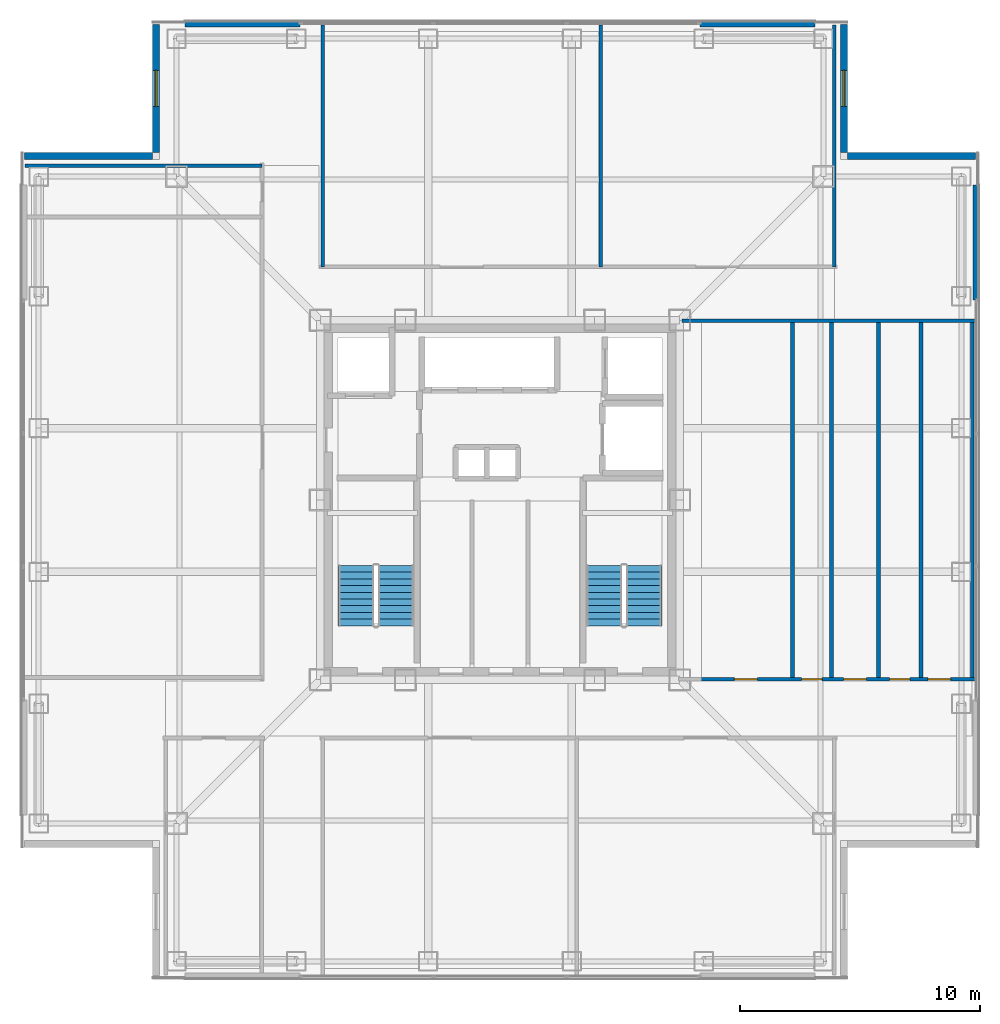
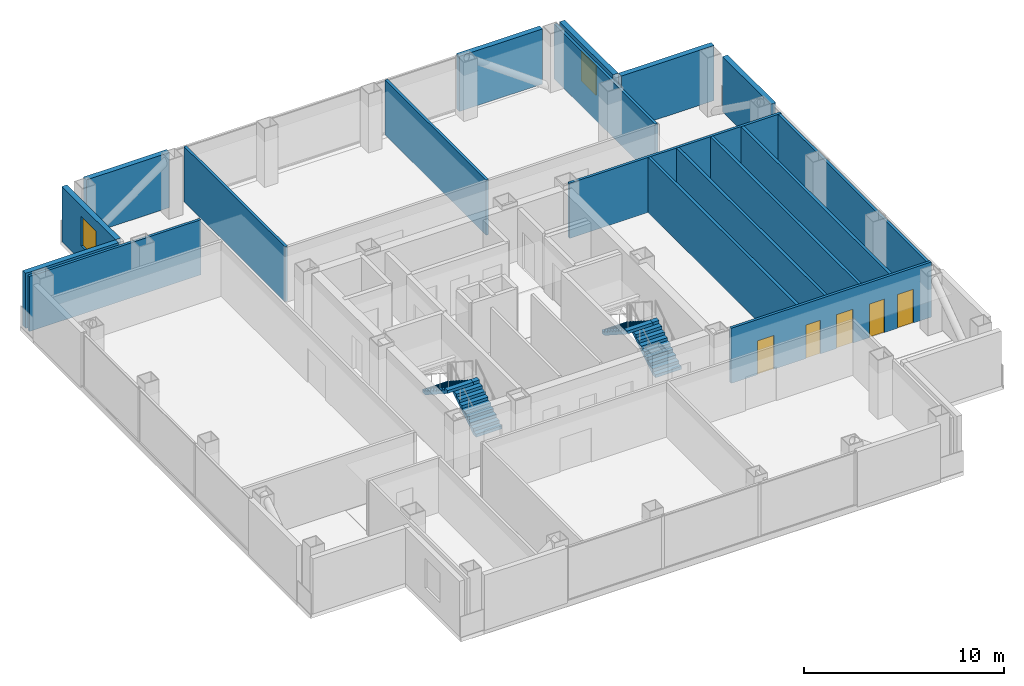
# One storey, part 11 of 17: 18 walls, 5 doors, 4 stair flights, 2 windows, 7 openings, 2 elements without a shape of their own.
"""IFC4 building model written with IfcOpenShell, lengths in metres."""

from ifc_helpers import new_model, si_unit, direction, frame, frame_2d, origin, place, context, subcontext, project, spatial, polyline, rectangle, outline, extrude, material, layer, layer_set, type_object, element, fill, aggregate, save


model = new_model("IFC4")

# Units and contexts
model_context = context("Model", 3, precision=1e-05, world=origin(), true_north=direction((0.0, 1.0)))
body_context = subcontext(model_context, "Body", "Model", "MODEL_VIEW")
ifc_project = project(units=[si_unit("LENGTHUNIT", "METRE"), si_unit("AREAUNIT", "SQUARE_METRE"), si_unit("VOLUMEUNIT", "CUBIC_METRE"), si_unit("PLANEANGLEUNIT", "RADIAN"), si_unit("MASSUNIT", "GRAM", prefix="KILO")], contexts=[model_context])

# Site, building, storey
site_placement = place(None, origin())
site = spatial("IfcSite", under=ifc_project, at=site_placement, CompositionType="ELEMENT")
building_placement = place(site_placement, origin())
building = spatial("IfcBuilding", under=site, at=building_placement, Name="Trevonay Congress Spire", CompositionType="ELEMENT")
storey_placement = place(building_placement, frame((0.0, 0.0, 191.39990234375)))
storey = spatial("IfcBuildingStorey", under=building, at=storey_placement, Name="L49", CompositionType="ELEMENT", Elevation=191.39990234375)

# Wall, openings, doors
ifc_material_1 = material(Name="Concrete C40/50", Category="concrete")
ifc_layer_1 = layer(ifc_material_1, 0.14990234375, Name="Concrete C40/50")
ifc_layer_set_1 = layer_set([ifc_layer_1], Name="Concrete C40/50")
wall_type_1 = type_object("IfcWallType", Name="WAL-CORR-150", PredefinedType="PARTITIONING", material=ifc_layer_set_1)
wall_1_placement = place(storey_placement, frame((8.280029296875, -7.47998046875, 0.0), z_axis=(0.0, 0.0, 1.0), x_axis=(1.0, 0.0, 0.0)))
wall_1 = element("IfcWall", 1, at=wall_1_placement, inside=storey, type_object=wall_type_1, Name="L49 interior wall WP-L49E-COR", PredefinedType="PARTITIONING", context=body_context, shape_type="SweptSolid", body=[
    extrude(rectangle(XDim=11.5400390625, YDim=0.14990234375, at=frame_2d((5.77001953125, 0.0))), origin(), (0.0, 0.0, 1.0), 3.360107421875),
])
opening_1_placement = place(wall_1_placement, frame((1.5048828125, 0.0, 0.0)))
opening_1 = element("IfcOpeningElement", 2, at=opening_1_placement, cuts=wall_1, Name="Opening D07", PredefinedType="OPENING", context=body_context, shape_type="SweptSolid", body=[
    extrude(rectangle(XDim=0.949951171875, YDim=2.06005859375, at=frame_2d((0.47509765625, 1.030029296875))), frame((0.0, 0.0849609375, 0.0), z_axis=(0.0, -1.0, 0.0), x_axis=(1.0, 0.0, 0.0)), (0.0, 0.0, 1.0), 0.169921875),
])
opening_2_placement = place(wall_1_placement, frame((4.31005859375, 0.0, 0.0)))
opening_2 = element("IfcOpeningElement", 3, at=opening_2_placement, cuts=wall_1, Name="Opening D10", PredefinedType="OPENING", context=body_context, shape_type="SweptSolid", body=[
    extrude(rectangle(XDim=0.85009765625, YDim=2.050048828125, at=frame_2d((0.425048828125, 1.02490234375))), frame((0.0, 0.0849609375, 0.0), z_axis=(0.0, -1.0, 0.0), x_axis=(1.0, 0.0, 0.0)), (0.0, 0.0, 1.0), 0.169921875),
])
opening_3_placement = place(wall_1_placement, frame((6.06005859375, 0.0, 0.0)))
opening_3 = element("IfcOpeningElement", 4, at=opening_3_placement, cuts=wall_1, Name="Opening D07", PredefinedType="OPENING", context=body_context, shape_type="SweptSolid", body=[
    extrude(rectangle(XDim=0.949951171875, YDim=2.06005859375, at=frame_2d((0.47509765625, 1.030029296875))), frame((0.0, 0.0849609375, 0.0), z_axis=(0.0, -1.0, 0.0), x_axis=(1.0, 0.0, 0.0)), (0.0, 0.0, 1.0), 0.169921875),
])
opening_4_placement = place(wall_1_placement, frame((7.97509765625, 0.0, 0.0)))
opening_4 = element("IfcOpeningElement", 5, at=opening_4_placement, cuts=wall_1, Name="Opening D10", PredefinedType="OPENING", context=body_context, shape_type="SweptSolid", body=[
    extrude(rectangle(XDim=0.85009765625, YDim=2.050048828125, at=frame_2d((0.425048828125, 1.02490234375))), frame((0.0, 0.0849609375, 0.0), z_axis=(0.0, -1.0, 0.0), x_axis=(1.0, 0.0, 0.0)), (0.0, 0.0, 1.0), 0.169921875),
])
opening_5_placement = place(wall_1_placement, frame((9.574951171875, 0.0, 0.0)))
opening_5 = element("IfcOpeningElement", 6, at=opening_5_placement, cuts=wall_1, Name="Opening D07", PredefinedType="OPENING", context=body_context, shape_type="SweptSolid", body=[
    extrude(rectangle(XDim=0.949951171875, YDim=2.06005859375, at=frame_2d((0.47509765625, 1.030029296875))), frame((0.0, 0.0849609375, 0.0), z_axis=(0.0, -1.0, 0.0), x_axis=(1.0, 0.0, 0.0)), (0.0, 0.0, 1.0), 0.169921875),
])
ifc_material_2 = material(Name="Pale Anodised Aluminium EN AW-6063-T6", Category="aluminium")
door_type_1 = type_object("IfcDoorType", Name="DOR-OFFICE-95", OperationType="NOTDEFINED", PredefinedType="DOOR", material=ifc_material_2)
door_1_placement = place(opening_1_placement, origin())
door_1 = element("IfcDoor", 7, at=door_1_placement, inside=storey, type_object=door_type_1, Name="L49 Club Linen and Glassware Store Door", OperationType="SINGLE_SWING_LEFT", OverallHeight=2.06005859375, OverallWidth=0.949951171875, PredefinedType="DOOR", context=body_context, shape_type="SweptSolid", body=[
    extrude(rectangle(XDim=0.949951171875, YDim=2.06005859375, at=frame_2d((0.47509765625, 1.030029296875))), frame((0.0, 0.02490234375, 0.0), z_axis=(0.0, -1.0, 0.0), x_axis=(1.0, 0.0, 0.0)), (0.0, 0.0, 1.0), 0.050048828125),
])
fill(opening_1, door_1)
door_2_placement = place(opening_3_placement, origin())
door_2 = element("IfcDoor", 8, at=door_2_placement, inside=storey, type_object=door_type_1, Name="L49 Floor Supplies and Copy Room Door", OperationType="SINGLE_SWING_LEFT", OverallHeight=2.06005859375, OverallWidth=0.949951171875, PredefinedType="DOOR", context=body_context, shape_type="SweptSolid", body=[
    extrude(rectangle(XDim=0.949951171875, YDim=2.06005859375, at=frame_2d((0.47509765625, 1.030029296875))), frame((0.0, 0.02490234375, 0.0), z_axis=(0.0, -1.0, 0.0), x_axis=(1.0, 0.0, 0.0)), (0.0, 0.0, 1.0), 0.050048828125),
])
fill(opening_3, door_2)
door_3_placement = place(opening_5_placement, origin())
door_3 = element("IfcDoor", 9, at=door_3_placement, inside=storey, type_object=door_type_1, Name="L49 Floor Supplies and Copy Room Door", OperationType="SINGLE_SWING_LEFT", OverallHeight=2.06005859375, OverallWidth=0.949951171875, PredefinedType="DOOR", context=body_context, shape_type="SweptSolid", body=[
    extrude(rectangle(XDim=0.949951171875, YDim=2.06005859375, at=frame_2d((0.47509765625, 1.030029296875))), frame((0.0, 0.02490234375, 0.0), z_axis=(0.0, -1.0, 0.0), x_axis=(1.0, 0.0, 0.0)), (0.0, 0.0, 1.0), 0.050048828125),
])
fill(opening_5, door_3)
door_type_2 = type_object("IfcDoorType", Name="DOR-WC-85", OperationType="NOTDEFINED", PredefinedType="DOOR", material=ifc_material_2)
door_4_placement = place(opening_2_placement, origin())
door_4 = element("IfcDoor", 10, at=door_4_placement, inside=storey, type_object=door_type_2, Name="L49 Female Restroom WC Door", OperationType="SINGLE_SWING_RIGHT", OverallHeight=2.050048828125, OverallWidth=0.85009765625, PredefinedType="DOOR", context=body_context, shape_type="SweptSolid", body=[
    extrude(rectangle(XDim=0.85009765625, YDim=2.050048828125, at=frame_2d((0.425048828125, 1.02490234375))), frame((0.0, 0.02490234375, 0.0), z_axis=(0.0, -1.0, 0.0), x_axis=(1.0, 0.0, 0.0)), (0.0, 0.0, 1.0), 0.050048828125),
])
fill(opening_2, door_4)
door_5_placement = place(opening_4_placement, origin())
door_5 = element("IfcDoor", 11, at=door_5_placement, inside=storey, type_object=door_type_2, Name="L49 Male Restroom WC Door", OperationType="SINGLE_SWING_RIGHT", OverallHeight=2.050048828125, OverallWidth=0.85009765625, PredefinedType="DOOR", context=body_context, shape_type="SweptSolid", body=[
    extrude(rectangle(XDim=0.85009765625, YDim=2.050048828125, at=frame_2d((0.425048828125, 1.02490234375))), frame((0.0, 0.02490234375, 0.0), z_axis=(0.0, -1.0, 0.0), x_axis=(1.0, 0.0, 0.0)), (0.0, 0.0, 1.0), 0.050048828125),
])
fill(opening_4, door_5)

# Walls
ifc_material_3 = material(Name="Precast concrete C40/50", Category="concrete")
ifc_layer_2 = layer(ifc_material_3, 0.300048828125, Name="Precast concrete C40/50")
ifc_layer_set_2 = layer_set([ifc_layer_2], Name="Precast concrete C40/50")
wall_type_2 = type_object("IfcWallType", Name="WAL-EXT-PRECAST-300", PredefinedType="SOLIDWALL", material=ifc_layer_set_2)
for number, where, z_axis, x_axis, name in (
    (12, (-13.14990234375, 19.8798828125, 0.0), (0.0, 0.0, 1.0), (1.0, 0.0, 0.0), "L49 NL braced-bay exterior pier wall"),
    (13, (8.35009765625, 19.8798828125, 0.0), (0.0, 0.0, 1.0), (1.0, 0.0, 0.0), "L49 NR braced-bay exterior pier wall"),
    (14, (19.8798828125, 8.35009765625, 0.0), (0.0, 0.0, 1.0), (0.0, 1.0, 0.0), "L49 ER braced-bay exterior pier wall"),
):
    element("IfcWall", number, at=place(storey_placement, frame(where, z_axis=z_axis, x_axis=x_axis)), inside=storey, type_object=wall_type_2, Name=name, PredefinedType="SOLIDWALL", context=body_context, shape_type="SweptSolid", body=[
        extrude(rectangle(XDim=4.7998046875, YDim=0.300048828125, at=frame_2d((2.39990234375, 0.0))), origin(), (0.0, 0.0, 1.0), 3.360107421875),
    ])

# Wall, opening, window
wall_2_placement = place(storey_placement, frame((14.35009765625, 19.85009765625, 0.0), z_axis=(0.0, 0.0, 1.0), x_axis=(0.0, -1.0, 0.0)))
wall_2 = element("IfcWall", 15, at=wall_2_placement, inside=storey, type_object=wall_type_2, Name="L49 NE re-entrant notch exterior wall 1", PredefinedType="SOLIDWALL", context=body_context, shape_type="SweptSolid", body=[
    extrude(rectangle(XDim=5.35009765625, YDim=0.300048828125, at=frame_2d((2.675048828125, 0.0))), origin(), (0.0, 0.0, 1.0), 3.360107421875),
])
opening_6_placement = place(wall_2_placement, frame((1.925048828125, 0.0, 0.89990234375)))
opening_6 = element("IfcOpeningElement", 16, at=opening_6_placement, cuts=wall_2, Name="Opening WN03", PredefinedType="OPENING", context=body_context, shape_type="SweptSolid", body=[
    extrude(rectangle(XDim=1.5, YDim=1.800048828125, at=frame_2d((0.75, 0.89990234375))), frame((0.0, 0.16015625, 0.0), z_axis=(0.0, -1.0, 0.0), x_axis=(1.0, 0.0, 0.0)), (0.0, 0.0, 1.0), 0.320068359375),
])
ifc_material_4 = material(Name="Insulated Low-E Vision Glass IGU", Category="glass")
window_type = type_object("IfcWindowType", Name="WIN-NOTCH-150X180", PartitioningType="SINGLE_PANEL", PredefinedType="WINDOW", material=ifc_material_4)
window_1_placement = place(opening_6_placement, origin())
window_1 = element("IfcWindow", 17, at=window_1_placement, inside=storey, type_object=window_type, Name="L49 NE corner notch window", OverallHeight=1.800048828125, OverallWidth=1.5, PartitioningType="SINGLE_PANEL", PredefinedType="WINDOW", context=body_context, shape_type="SweptSolid", body=[
    extrude(rectangle(XDim=1.5, YDim=1.800048828125, at=frame_2d((0.75, 0.89990234375))), frame((0.0, 0.030029296875, 0.0), z_axis=(0.0, -1.0, 0.0), x_axis=(1.0, 0.0, 0.0)), (0.0, 0.0, 1.0), 0.06005859375),
])
fill(opening_6, window_1)

# Wall
wall_3_placement = place(storey_placement, frame((19.85009765625, 14.35009765625, 0.0), z_axis=(0.0, 0.0, 1.0), x_axis=(-1.0, 0.0, 0.0)))
element("IfcWall", 18, at=wall_3_placement, inside=storey, type_object=wall_type_2, Name="L49 NE re-entrant notch exterior wall 2", PredefinedType="SOLIDWALL", context=body_context, shape_type="SweptSolid", body=[
    extrude(rectangle(XDim=5.35009765625, YDim=0.300048828125, at=frame_2d((2.675048828125, 0.0))), origin(), (0.0, 0.0, 1.0), 3.360107421875),
])

# Wall, opening, window
wall_4_placement = place(storey_placement, frame((-14.35009765625, 19.85009765625, 0.0), z_axis=(0.0, 0.0, 1.0), x_axis=(0.0, -1.0, 0.0)))
wall_4 = element("IfcWall", 19, at=wall_4_placement, inside=storey, type_object=wall_type_2, Name="L49 NW re-entrant notch exterior wall 1", PredefinedType="SOLIDWALL", context=body_context, shape_type="SweptSolid", body=[
    extrude(rectangle(XDim=5.35009765625, YDim=0.300048828125, at=frame_2d((2.675048828125, 0.0))), origin(), (0.0, 0.0, 1.0), 3.360107421875),
])
opening_7_placement = place(wall_4_placement, frame((1.925048828125, 0.0, 0.89990234375)))
opening_7 = element("IfcOpeningElement", 20, at=opening_7_placement, cuts=wall_4, Name="Opening WN03", PredefinedType="OPENING", context=body_context, shape_type="SweptSolid", body=[
    extrude(rectangle(XDim=1.5, YDim=1.800048828125, at=frame_2d((0.75, 0.89990234375))), frame((0.0, 0.16015625, 0.0), z_axis=(0.0, -1.0, 0.0), x_axis=(1.0, 0.0, 0.0)), (0.0, 0.0, 1.0), 0.320068359375),
])
window_2_placement = place(opening_7_placement, origin())
window_2 = element("IfcWindow", 21, at=window_2_placement, inside=storey, type_object=window_type, Name="L49 NW corner notch window", OverallHeight=1.800048828125, OverallWidth=1.5, PartitioningType="SINGLE_PANEL", PredefinedType="WINDOW", context=body_context, shape_type="SweptSolid", body=[
    extrude(rectangle(XDim=1.5, YDim=1.800048828125, at=frame_2d((0.75, 0.89990234375))), frame((0.0, 0.030029296875, 0.0), z_axis=(0.0, -1.0, 0.0), x_axis=(1.0, 0.0, 0.0)), (0.0, 0.0, 1.0), 0.06005859375),
])
fill(opening_7, window_2)

# Walls
wall_5_placement = place(storey_placement, frame((-19.85009765625, 14.35009765625, 0.0), z_axis=(0.0, 0.0, 1.0), x_axis=(1.0, 0.0, 0.0)))
element("IfcWall", 22, at=wall_5_placement, inside=storey, type_object=wall_type_2, Name="L49 NW re-entrant notch exterior wall 2", PredefinedType="SOLIDWALL", context=body_context, shape_type="SweptSolid", body=[
    extrude(rectangle(XDim=5.35009765625, YDim=0.300048828125, at=frame_2d((2.675048828125, 0.0))), origin(), (0.0, 0.0, 1.0), 3.360107421875),
])
ifc_layer_3 = layer(ifc_material_1, 0.14990234375, Name="Concrete C40/50")
ifc_layer_set_3 = layer_set([ifc_layer_3], Name="Concrete C40/50")
wall_type_3 = type_object("IfcWallType", Name="WAL-PART-150", PredefinedType="PARTITIONING", material=ifc_layer_set_3)
wall_6_placement = place(storey_placement, frame((-19.820068359375, 13.949951171875, 0.0), z_axis=(0.0, 0.0, 1.0), x_axis=(1.0, 0.0, 0.0)))
element("IfcWall", 23, at=wall_6_placement, inside=storey, type_object=wall_type_3, Name="L49 interior wall WP-L49NW-DIV3", PredefinedType="PARTITIONING", context=body_context, shape_type="SweptSolid", body=[
    extrude(rectangle(XDim=9.89013671875, YDim=0.14990234375, at=frame_2d((4.945068359375, 0.0))), origin(), (0.0, 0.0, 1.0), 3.360107421875),
])
for number, where, z_axis, x_axis, name in (
    (24, (-7.39990234375, 9.72998046875, 0.0), (0.0, 0.0, 1.0), (0.0, 1.0, 0.0), "L49 interior wall WP-L49N-DIV1"),
    (25, (4.199951171875, 9.72998046875, 0.0), (0.0, 0.0, 1.0), (0.0, 1.0, 0.0), "L49 interior wall WP-L49N-DIV2"),
    (26, (13.949951171875, 9.72998046875, 0.0), (0.0, 0.0, 1.0), (0.0, 1.0, 0.0), "L49 interior wall WP-L49N-DIV3"),
):
    element("IfcWall", number, at=place(storey_placement, frame(where, z_axis=z_axis, x_axis=x_axis)), inside=storey, type_object=wall_type_3, Name=name, PredefinedType="PARTITIONING", context=body_context, shape_type="SweptSolid", body=[
        extrude(rectangle(XDim=10.090087890625, YDim=0.14990234375, at=frame_2d((5.044921875, 0.0))), origin(), (0.0, 0.0, 1.0), 3.360107421875),
    ])
wall_7_placement = place(storey_placement, frame((19.699951171875, -7.47998046875, 0.0), z_axis=(0.0, 0.0, 1.0), x_axis=(0.0, 1.0, 0.0)))
element("IfcWall", 27, at=wall_7_placement, inside=storey, type_object=wall_type_3, Name="L49 interior wall WP-L49E-DIV3", PredefinedType="PARTITIONING", context=body_context, shape_type="SweptSolid", body=[
    extrude(rectangle(XDim=14.89990234375, YDim=0.14990234375, at=frame_2d((7.449951171875, 0.0))), origin(), (0.0, 0.0, 1.0), 3.360107421875),
])
wall_8_placement = place(storey_placement, frame((7.60009765625, 7.47998046875, 0.0), z_axis=(0.0, 0.0, 1.0), x_axis=(1.0, 0.0, 0.0)))
element("IfcWall", 28, at=wall_8_placement, inside=storey, type_object=wall_type_3, Name="L49 interior wall WP-L49E-NCLS", PredefinedType="PARTITIONING", context=body_context, shape_type="SweptSolid", body=[
    extrude(rectangle(XDim=12.219970703125, YDim=0.14990234375, at=frame_2d((6.10986328125, 0.0))), origin(), (0.0, 0.0, 1.0), 3.360107421875),
])
ifc_layer_4 = layer(ifc_material_1, 0.1650390625, Name="Concrete C40/50")
ifc_layer_set_4 = layer_set([ifc_layer_4], Name="Concrete C40/50")
wall_type_4 = type_object("IfcWallType", Name="WAL-WET-165", PredefinedType="PLUMBINGWALL", material=ifc_layer_set_4)
for number, where, z_axis, x_axis, name in (
    (29, (13.830078125, -7.47998046875, 0.0), (0.0, 0.0, 1.0), (0.0, 1.0, 0.0), "L49 interior wall WP-L49E-WCS2"),
    (30, (17.56005859375, -7.47998046875, 0.0), (0.0, 0.0, 1.0), (0.0, 1.0, 0.0), "L49 interior wall WP-L49E-WCS3"),
    (31, (12.199951171875, -7.47998046875, 0.0), (0.0, 0.0, 1.0), (0.0, 1.0, 0.0), "L49 interior wall WP-L49E-DIV1"),
    (32, (15.800048828125, -7.47998046875, 0.0), (0.0, 0.0, 1.0), (0.0, 1.0, 0.0), "L49 interior wall WP-L49E-DIV2"),
):
    element("IfcWall", number, at=place(storey_placement, frame(where, z_axis=z_axis, x_axis=x_axis)), inside=storey, type_object=wall_type_4, Name=name, PredefinedType="PLUMBINGWALL", context=body_context, shape_type="SweptSolid", body=[
        extrude(rectangle(XDim=14.89990234375, YDim=0.1650390625, at=frame_2d((7.449951171875, 0.0))), origin(), (0.0, 0.0, 1.0), 3.360107421875),
    ])

# Stair, stair flights
stair_type_1 = type_object("IfcStairType", Name="STR-ST-1", PredefinedType="HALF_TURN_STAIR", material=ifc_material_1)
stair_1_placement = place(storey_placement, origin())
stair_1 = element("IfcStair", 33, at=stair_1_placement, inside=storey, type_object=stair_type_1, Name="L49 Protected Exit Stair ST-1", PredefinedType="HALF_TURN_STAIR")
stair_flight_type_1 = type_object("IfcStairFlightType", Name="SFL-ST-1", PredefinedType="STRAIGHT", material=ifc_material_1)
stair_flight_1_placement = place(storey_placement, frame((-4.35009765625, -5.25, 0.0), z_axis=(0.0, 0.0, 1.0), x_axis=(0.0, 1.0, 0.0)))
stair_flight_1 = element("IfcStairFlight", 34, at=stair_flight_1_placement, type_object=stair_flight_type_1, Name="ST-1 flight 1", NumberOfRisers=10, NumberOfTreads=9, PredefinedType="STRAIGHT", RiserHeight=0.18, TreadLength=0.28, context=body_context, shape_type="SweptSolid", body=[
    extrude(outline(polyline([(0.0, 0.0), (0.0, 0.179931640625), (0.280029296875, 0.179931640625), (0.280029296875, 0.360107421875), (0.56005859375, 0.360107421875), (0.56005859375, 0.5400390625), (0.840087890625, 0.5400390625), (0.840087890625, 0.719970703125), (1.1201171875, 0.719970703125), (1.1201171875, 0.89990234375), (1.39990234375, 0.89990234375), (1.39990234375, 1.080078125), (1.679931640625, 1.080078125), (1.679931640625, 1.260009765625), (1.9599609375, 1.260009765625), (1.9599609375, 1.43994140625), (2.239990234375, 1.43994140625), (2.239990234375, 1.6201171875), (2.52001953125, 1.6201171875), (2.52001953125, 1.800048828125), (2.52001953125, 1.44189453125), (0.277099609375, 0.0), (0.0, 0.0)])), frame((0.0, 0.75, 0.0), z_axis=(0.0, -1.0, 0.0), x_axis=(1.0, 0.0, 0.0)), (0.0, 0.0, 1.0), 1.5),
])
stair_flight_2_placement = place(storey_placement, frame((-6.0, -2.72998046875, 1.800048828125), z_axis=(0.0, 0.0, 1.0), x_axis=(0.0, -1.0, 0.0)))
stair_flight_2 = element("IfcStairFlight", 35, at=stair_flight_2_placement, type_object=stair_flight_type_1, Name="ST-1 flight 2", NumberOfRisers=10, NumberOfTreads=9, PredefinedType="STRAIGHT", RiserHeight=0.18, TreadLength=0.28, context=body_context, shape_type="SweptSolid", body=[
    extrude(outline(polyline([(0.0, 0.0), (0.0, 0.179931640625), (0.280029296875, 0.179931640625), (0.280029296875, 0.360107421875), (0.56005859375, 0.360107421875), (0.56005859375, 0.5400390625), (0.840087890625, 0.5400390625), (0.840087890625, 0.719970703125), (1.1201171875, 0.719970703125), (1.1201171875, 0.89990234375), (1.39990234375, 0.89990234375), (1.39990234375, 1.080078125), (1.679931640625, 1.080078125), (1.679931640625, 1.260009765625), (1.9599609375, 1.260009765625), (1.9599609375, 1.43994140625), (2.239990234375, 1.43994140625), (2.239990234375, 1.6201171875), (2.52001953125, 1.6201171875), (2.52001953125, 1.800048828125), (2.52001953125, 1.44189453125), (0.277099609375, 0.0), (0.0, 0.0)])), frame((0.0, 0.75, 0.0), z_axis=(0.0, -1.0, 0.0), x_axis=(1.0, 0.0, 0.0)), (0.0, 0.0, 1.0), 1.5),
])
aggregate(stair_1, [stair_flight_1, stair_flight_2])

stair_type_2 = type_object("IfcStairType", Name="STR-ST-2", PredefinedType="HALF_TURN_STAIR", material=ifc_material_1)
stair_2_placement = place(storey_placement, origin())
stair_2 = element("IfcStair", 36, at=stair_2_placement, inside=storey, type_object=stair_type_2, Name="L49 Protected Exit Stair ST-2", PredefinedType="HALF_TURN_STAIR")
stair_flight_type_2 = type_object("IfcStairFlightType", Name="SFL-ST-2", PredefinedType="STRAIGHT", material=ifc_material_1)
stair_flight_3_placement = place(storey_placement, frame((6.0, -5.25, 0.0), z_axis=(0.0, 0.0, 1.0), x_axis=(0.0, 1.0, 0.0)))
stair_flight_3 = element("IfcStairFlight", 37, at=stair_flight_3_placement, type_object=stair_flight_type_2, Name="ST-2 flight 1", NumberOfRisers=10, NumberOfTreads=9, PredefinedType="STRAIGHT", RiserHeight=0.18, TreadLength=0.28, context=body_context, shape_type="SweptSolid", body=[
    extrude(outline(polyline([(0.0, 0.0), (0.0, 0.179931640625), (0.280029296875, 0.179931640625), (0.280029296875, 0.360107421875), (0.56005859375, 0.360107421875), (0.56005859375, 0.5400390625), (0.840087890625, 0.5400390625), (0.840087890625, 0.719970703125), (1.1201171875, 0.719970703125), (1.1201171875, 0.89990234375), (1.39990234375, 0.89990234375), (1.39990234375, 1.080078125), (1.679931640625, 1.080078125), (1.679931640625, 1.260009765625), (1.9599609375, 1.260009765625), (1.9599609375, 1.43994140625), (2.239990234375, 1.43994140625), (2.239990234375, 1.6201171875), (2.52001953125, 1.6201171875), (2.52001953125, 1.800048828125), (2.52001953125, 1.44189453125), (0.277099609375, 0.0), (0.0, 0.0)])), frame((0.0, 0.75, 0.0), z_axis=(0.0, -1.0, 0.0), x_axis=(1.0, 0.0, 0.0)), (0.0, 0.0, 1.0), 1.5),
])
stair_flight_4_placement = place(storey_placement, frame((4.35009765625, -2.72998046875, 1.800048828125), z_axis=(0.0, 0.0, 1.0), x_axis=(0.0, -1.0, 0.0)))
stair_flight_4 = element("IfcStairFlight", 38, at=stair_flight_4_placement, type_object=stair_flight_type_2, Name="ST-2 flight 2", NumberOfRisers=10, NumberOfTreads=9, PredefinedType="STRAIGHT", RiserHeight=0.18, TreadLength=0.28, context=body_context, shape_type="SweptSolid", body=[
    extrude(outline(polyline([(0.0, 0.0), (0.0, 0.179931640625), (0.280029296875, 0.179931640625), (0.280029296875, 0.360107421875), (0.56005859375, 0.360107421875), (0.56005859375, 0.5400390625), (0.840087890625, 0.5400390625), (0.840087890625, 0.719970703125), (1.1201171875, 0.719970703125), (1.1201171875, 0.89990234375), (1.39990234375, 0.89990234375), (1.39990234375, 1.080078125), (1.679931640625, 1.080078125), (1.679931640625, 1.260009765625), (1.9599609375, 1.260009765625), (1.9599609375, 1.43994140625), (2.239990234375, 1.43994140625), (2.239990234375, 1.6201171875), (2.52001953125, 1.6201171875), (2.52001953125, 1.800048828125), (2.52001953125, 1.44189453125), (0.277099609375, 0.0), (0.0, 0.0)])), frame((0.0, 0.75, 0.0), z_axis=(0.0, -1.0, 0.0), x_axis=(1.0, 0.0, 0.0)), (0.0, 0.0, 1.0), 1.5),
])
aggregate(stair_2, [stair_flight_3, stair_flight_4])

save(model, "model.ifc")
